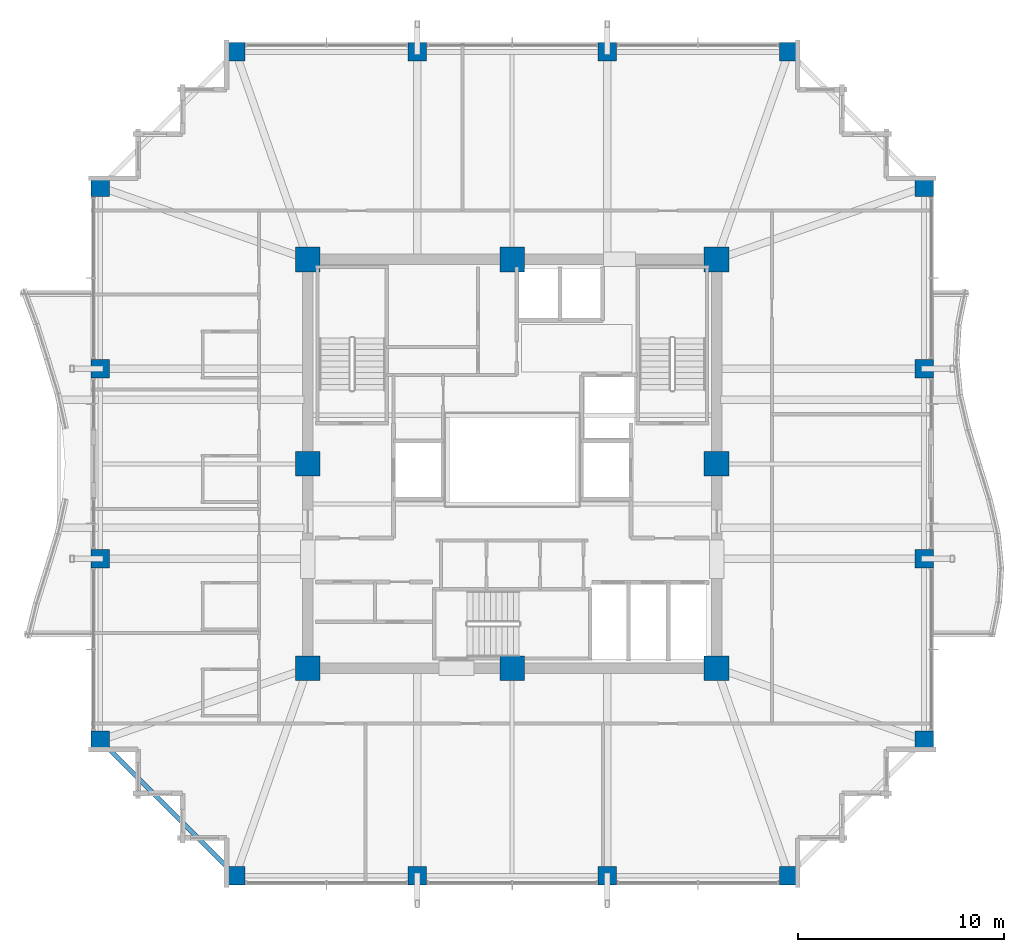
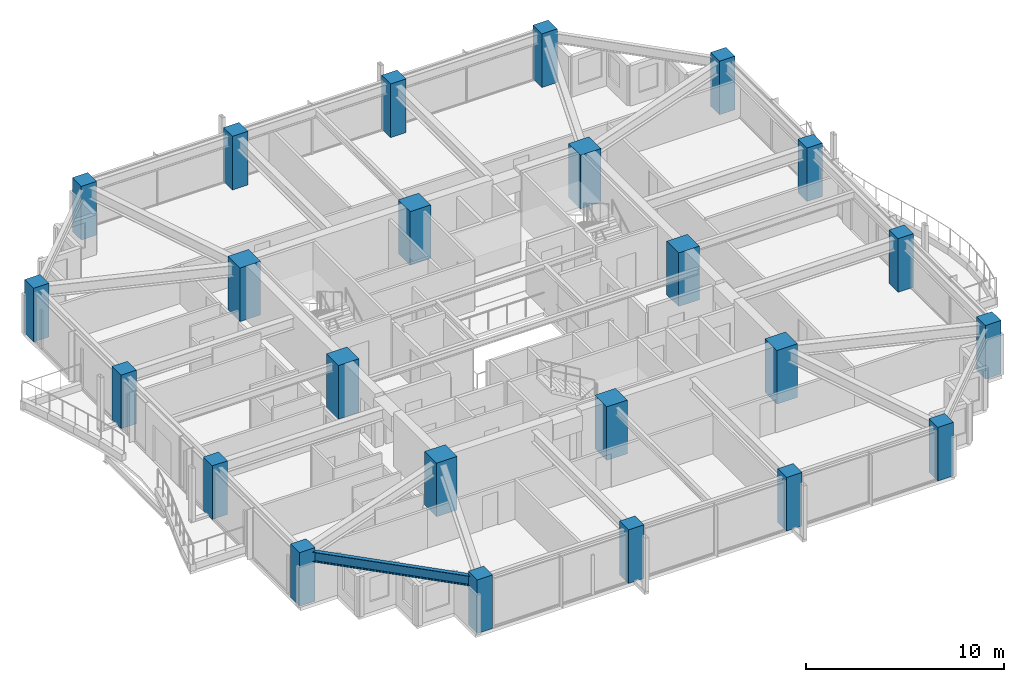
# One storey, part 1 of 35: 24 columns, 1 beam.
"""IFC4 building model written with IfcOpenShell, lengths in metres."""

from ifc_helpers import new_model, si_unit, direction, frame, origin, origin_2d, place, context, subcontext, project, spatial, rectangle, i_section, extrude, material, material_profile, profile_set, type_object, element, save


model = new_model("IFC4")

# Units and contexts
model_context = context("Model", 3, precision=1e-05, world=origin(), true_north=direction((0.0, 1.0)))
body_context = subcontext(model_context, "Body", "Model", "MODEL_VIEW")
ifc_project = project(units=[si_unit("LENGTHUNIT", "METRE"), si_unit("AREAUNIT", "SQUARE_METRE"), si_unit("VOLUMEUNIT", "CUBIC_METRE"), si_unit("PLANEANGLEUNIT", "RADIAN"), si_unit("MASSUNIT", "GRAM", prefix="KILO")], contexts=[model_context])

# Site, building, storey
site_placement = place(None, origin())
site = spatial("IfcSite", under=ifc_project, at=site_placement, CompositionType="ELEMENT")
building_placement = place(site_placement, origin())
building = spatial("IfcBuilding", under=site, at=building_placement, Name="Kolvaren Belvedere", CompositionType="ELEMENT")
storey_placement = place(building_placement, frame((0.0, 0.0, 183.300048828125)))
storey = spatial("IfcBuildingStorey", under=building, at=storey_placement, Name="L53", CompositionType="ELEMENT", Elevation=183.300048828125)

# Columns
ifc_material_1 = material(Name="Concrete C60/75", Category="concrete")
ifc_material_profile_1 = material_profile(ifc_material_1, rectangle(XDim=1.199951171875, YDim=1.199951171875, at=origin_2d()), Name="RC 1200X1200")
ifc_profile_set_1 = profile_set([ifc_material_profile_1], Name="Concrete C60/75")
column_type_1 = type_object("IfcColumnType", Name="COL-RC-1200", PredefinedType="COLUMN", material=ifc_profile_set_1)
for number, where, z_axis, x_axis, name in (
    (1, (-9.89990234375, -9.89990234375, 0.0), (0.0, 0.0, 1.0), (1.0, 0.0, 0.0), "L53 Core Column CC1"),
    (2, (9.89990234375, -9.89990234375, 0.0), (0.0, 0.0, 1.0), (1.0, 0.0, 0.0), "L53 Core Column CC2"),
    (3, (9.89990234375, 9.89990234375, 0.0), (0.0, 0.0, 1.0), (1.0, 0.0, 0.0), "L53 Core Column CC3"),
    (4, (-9.89990234375, 9.89990234375, 0.0), (0.0, 0.0, 1.0), (1.0, 0.0, 0.0), "L53 Core Column CC4"),
    (5, (0.0, -9.89990234375, 0.0), (0.0, 0.0, 1.0), (1.0, 0.0, 0.0), "L53 Core Column CM1"),
    (6, (9.89990234375, 0.0, 0.0), (0.0, 0.0, 1.0), (1.0, 0.0, 0.0), "L53 Core Column CM2"),
    (7, (0.0, 9.89990234375, 0.0), (0.0, 0.0, 1.0), (1.0, 0.0, 0.0), "L53 Core Column CM3"),
    (8, (-9.89990234375, 0.0, 0.0), (0.0, 0.0, 1.0), (1.0, 0.0, 0.0), "L53 Core Column CM4"),
):
    element("IfcColumn", number, at=place(storey_placement, frame(where, z_axis=z_axis, x_axis=x_axis)), inside=storey, type_object=column_type_1, Name=name, PredefinedType="COLUMN", context=body_context, shape_type="SweptSolid", body=[
        extrude(rectangle(XDim=1.199951171875, YDim=1.199951171875, at=origin_2d()), origin(), (0.0, 0.0, 1.0), 3.300048828125),
    ])
ifc_material_2 = material(Name="Concrete C50/60", Category="concrete")
ifc_material_profile_2 = material_profile(ifc_material_2, rectangle(XDim=0.89990234375, YDim=0.89990234375, at=origin_2d()), Name="RC 900X900")
ifc_profile_set_2 = profile_set([ifc_material_profile_2], Name="Concrete C50/60")
column_type_2 = type_object("IfcColumnType", Name="COL-RC-900", PredefinedType="COLUMN", material=ifc_profile_set_2)
for number, where, z_axis, x_axis, name in (
    (9, (-13.39990234375, -19.949951171875, 0.0), (0.0, 0.0, 1.0), (1.0, 0.0, 0.0), "L53 Perimeter Column S1"),
    (10, (-4.60009765625, -19.949951171875, 0.0), (0.0, 0.0, 1.0), (1.0, 0.0, 0.0), "L53 Perimeter Column S2"),
    (11, (4.60009765625, -19.949951171875, 0.0), (0.0, 0.0, 1.0), (1.0, 0.0, 0.0), "L53 Perimeter Column S3"),
    (12, (13.39990234375, -19.949951171875, 0.0), (0.0, 0.0, 1.0), (1.0, 0.0, 0.0), "L53 Perimeter Column S4"),
    (13, (-13.39990234375, 19.949951171875, 0.0), (0.0, 0.0, 1.0), (1.0, 0.0, 0.0), "L53 Perimeter Column N1"),
    (14, (-4.60009765625, 19.949951171875, 0.0), (0.0, 0.0, 1.0), (1.0, 0.0, 0.0), "L53 Perimeter Column N2"),
    (15, (4.60009765625, 19.949951171875, 0.0), (0.0, 0.0, 1.0), (1.0, 0.0, 0.0), "L53 Perimeter Column N3"),
    (16, (13.39990234375, 19.949951171875, 0.0), (0.0, 0.0, 1.0), (1.0, 0.0, 0.0), "L53 Perimeter Column N4"),
    (17, (-19.949951171875, -13.39990234375, 0.0), (0.0, 0.0, 1.0), (1.0, 0.0, 0.0), "L53 Perimeter Column W1"),
    (18, (-19.949951171875, -4.60009765625, 0.0), (0.0, 0.0, 1.0), (1.0, 0.0, 0.0), "L53 Perimeter Column W2"),
    (19, (-19.949951171875, 4.60009765625, 0.0), (0.0, 0.0, 1.0), (1.0, 0.0, 0.0), "L53 Perimeter Column W3"),
    (20, (-19.949951171875, 13.39990234375, 0.0), (0.0, 0.0, 1.0), (1.0, 0.0, 0.0), "L53 Perimeter Column W4"),
    (21, (19.949951171875, -13.39990234375, 0.0), (0.0, 0.0, 1.0), (1.0, 0.0, 0.0), "L53 Perimeter Column E1"),
    (22, (19.949951171875, -4.60009765625, 0.0), (0.0, 0.0, 1.0), (1.0, 0.0, 0.0), "L53 Perimeter Column E2"),
    (23, (19.949951171875, 4.60009765625, 0.0), (0.0, 0.0, 1.0), (1.0, 0.0, 0.0), "L53 Perimeter Column E3"),
    (24, (19.949951171875, 13.39990234375, 0.0), (0.0, 0.0, 1.0), (1.0, 0.0, 0.0), "L53 Perimeter Column E4"),
):
    element("IfcColumn", number, at=place(storey_placement, frame(where, z_axis=z_axis, x_axis=x_axis)), inside=storey, type_object=column_type_2, Name=name, PredefinedType="COLUMN", context=body_context, shape_type="SweptSolid", body=[
        extrude(rectangle(XDim=0.89990234375, YDim=0.89990234375, at=origin_2d()), origin(), (0.0, 0.0, 1.0), 3.300048828125),
    ])

# Beam
ifc_material_3 = material(Name="Structural steel ASTM A992 Grade 50", Category="steel")
ifc_material_profile_3 = material_profile(ifc_material_3, i_section(OverallWidth=0.22900390625, OverallDepth=0.612060546875, WebThickness=0.011962890625, FlangeThickness=0.01953125, FilletRadius=0.01806640625, at=origin_2d()), Name="W24X84")
ifc_profile_set_3 = profile_set([ifc_material_profile_3], Name="Structural steel ASTM A992 Grade 50")
beam_type = type_object("IfcBeamType", Name="BM-SPAN-W24X84", PredefinedType="SPANDREL", material=ifc_profile_set_3)
beam_placement = place(storey_placement, frame((-19.806884765625, -13.543212890625, 2.77392578125), z_axis=(0.707106781187, -0.707106781187, 0.0), x_axis=(0.707106781187, 0.707106781187, 0.0)))
element("IfcBeam", 25, at=beam_placement, inside=storey, type_object=beam_type, Name="L53 Perimeter Spandrel W1-S1", PredefinedType="SPANDREL", context=body_context, shape_type="SweptSolid", body=[
    extrude(i_section(OverallWidth=0.22900390625, OverallDepth=0.612060546875, WebThickness=0.011962890625, FlangeThickness=0.01953125, FilletRadius=0.01806640625, at=origin_2d()), origin(), (0.0, 0.0, 1.0), 8.858154296875),
])

save(model, "model.ifc")
